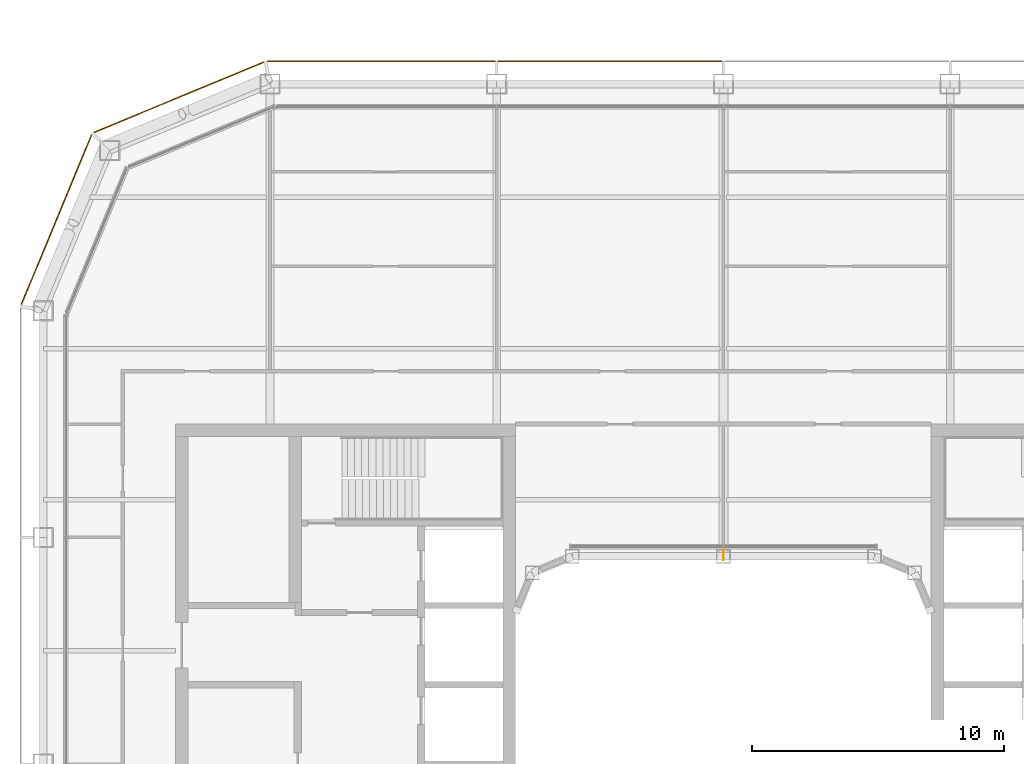
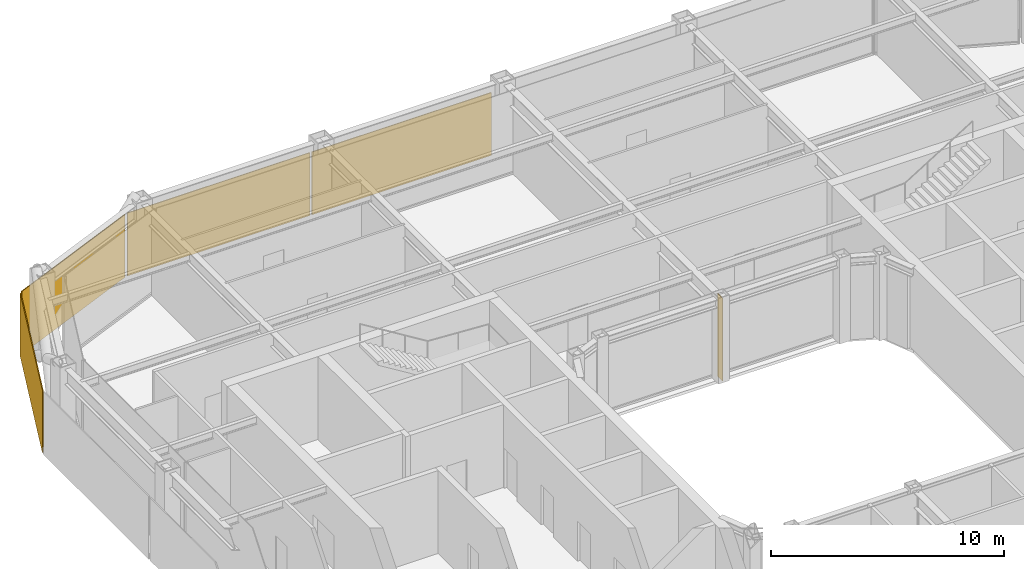
# One storey, part 21 of 23: 4 coverings, 1 shading device.
"""IFC4 building model written with IfcOpenShell, lengths in metres."""

from ifc_helpers import new_model, si_unit, direction, frame, origin, origin_2d, place, context, subcontext, project, spatial, rectangle, extrude, material, layer, layer_set, type_object, element, save


model = new_model("IFC4")

# Units and contexts
model_context = context("Model", 3, precision=1e-05, world=origin(), true_north=direction((0.0, 1.0)))
body_context = subcontext(model_context, "Body", "Model", "MODEL_VIEW")
ifc_project = project(units=[si_unit("LENGTHUNIT", "METRE"), si_unit("AREAUNIT", "SQUARE_METRE"), si_unit("VOLUMEUNIT", "CUBIC_METRE"), si_unit("PLANEANGLEUNIT", "RADIAN"), si_unit("MASSUNIT", "GRAM", prefix="KILO")], contexts=[model_context])

# Site, building, storey
site_placement = place(None, origin())
site = spatial("IfcSite", under=ifc_project, at=site_placement, CompositionType="ELEMENT")
building_placement = place(site_placement, origin())
building = spatial("IfcBuilding", under=site, at=building_placement, Name="Siwar Civic Tower", CompositionType="ELEMENT")
storey_placement = place(building_placement, frame((0.0, 0.0, 242.199951171875)))
storey = spatial("IfcBuildingStorey", under=building, at=storey_placement, Name="L52", CompositionType="ELEMENT", Elevation=242.199951171875)

# Shading device
ifc_material_1 = material(Name="Aluminium 6063-T6", Category="aluminium")
ifc_layer_1 = layer(ifc_material_1, 0.02001953125)
ifc_layer_set_1 = layer_set([ifc_layer_1], Name="Aluminium 6063-T6")
shading_device_type = type_object("IfcShadingDeviceType", Name="ENV-FIN", PredefinedType="JALOUSIE", material=ifc_layer_set_1)
shading_device_placement = place(storey_placement, frame((0.0, 8.320068359375, 0.0), z_axis=(0.0, 0.0, 1.0), x_axis=(-1.0, 0.0, 0.0)))
element("IfcShadingDevice", 1, at=shading_device_placement, inside=storey, type_object=shading_device_type, Name="SUNSHADE fin WN 1", PredefinedType="JALOUSIE", context=body_context, shape_type="SweptSolid", body=[
    extrude(rectangle(XDim=0.02001953125, YDim=0.449951171875, at=origin_2d()), origin(), (0.0, 0.0, 1.0), 4.35009765625),
])

# Coverings
ifc_material_2 = material(Name="Perforated aluminium cassette, pale metal", Category="aluminium")
ifc_layer_2 = layer(ifc_material_2, 0.0400390625)
ifc_layer_set_2 = layer_set([ifc_layer_2], Name="Perforated aluminium cassette, pale metal")
covering_type_1 = type_object("IfcCoveringType", Name="ENV-OUTER SKIN OS-1", PredefinedType="CLADDING", material=ifc_layer_set_2)
covering_1_placement = place(storey_placement, frame((-4.5, 27.89990234375, -0.14990234375), z_axis=(0.0, 0.0, 1.0), x_axis=(-1.0, 0.0, 0.0)))
element("IfcCovering", 2, at=covering_1_placement, inside=storey, type_object=covering_type_1, Name="OUTER SKIN OS-1 N 3", PredefinedType="CLADDING", context=body_context, shape_type="SweptSolid", body=[
    extrude(rectangle(XDim=8.89990234375, YDim=0.0400390625, at=origin_2d()), origin(), (0.0, 0.0, 1.0), 3.300048828125),
])
covering_2_placement = place(storey_placement, frame((-13.57958984375, 27.89990234375, -0.14990234375), z_axis=(0.0, 0.0, 1.0), x_axis=(-1.0, 0.0, 0.0)))
element("IfcCovering", 3, at=covering_2_placement, inside=storey, type_object=covering_type_1, Name="OUTER SKIN OS-1 N 4", PredefinedType="CLADDING", context=body_context, shape_type="SweptSolid", body=[
    extrude(rectangle(XDim=9.05908203125, YDim=0.0400390625, at=origin_2d()), origin(), (0.0, 0.0, 1.0), 3.300048828125),
])
covering_3_placement = place(storey_placement, frame((-21.615966796875, 26.476318359375, -0.14990234375), z_axis=(0.0, 0.0, 1.0), x_axis=(-0.923879532511, -0.382683432365, 0.0)))
element("IfcCovering", 4, at=covering_3_placement, inside=storey, type_object=covering_type_1, Name="OUTER SKIN OS-1 NW1 1", PredefinedType="CLADDING", context=body_context, shape_type="SweptSolid", body=[
    extrude(rectangle(XDim=7.300048828125, YDim=0.0400390625, at=origin_2d()), origin(), (0.0, 0.0, 1.0), 3.300048828125),
])
ifc_material_3 = material(Name="Perforated aluminium cassette, pale metal", Category="aluminium")
ifc_layer_3 = layer(ifc_material_3, 0.044921875)
ifc_layer_set_3 = layer_set([ifc_layer_3], Name="Perforated aluminium cassette, pale metal")
covering_type_2 = type_object("IfcCoveringType", Name="ENV-OUTER SKIN OS-2", PredefinedType="CLADDING", material=ifc_layer_set_3)
covering_4_placement = place(storey_placement, frame((-26.476318359375, 21.615966796875, -0.14990234375), z_axis=(0.0, 0.0, 1.0), x_axis=(-0.382683432365, -0.923879532511, 0.0)))
element("IfcCovering", 5, at=covering_4_placement, inside=storey, type_object=covering_type_2, Name="OUTER SKIN OS-2 NW2 1", PredefinedType="CLADDING", context=body_context, shape_type="SweptSolid", body=[
    extrude(rectangle(XDim=7.300048828125, YDim=0.044921875, at=origin_2d()), origin(), (0.0, 0.0, 1.0), 3.300048828125),
])

save(model, "model.ifc")
